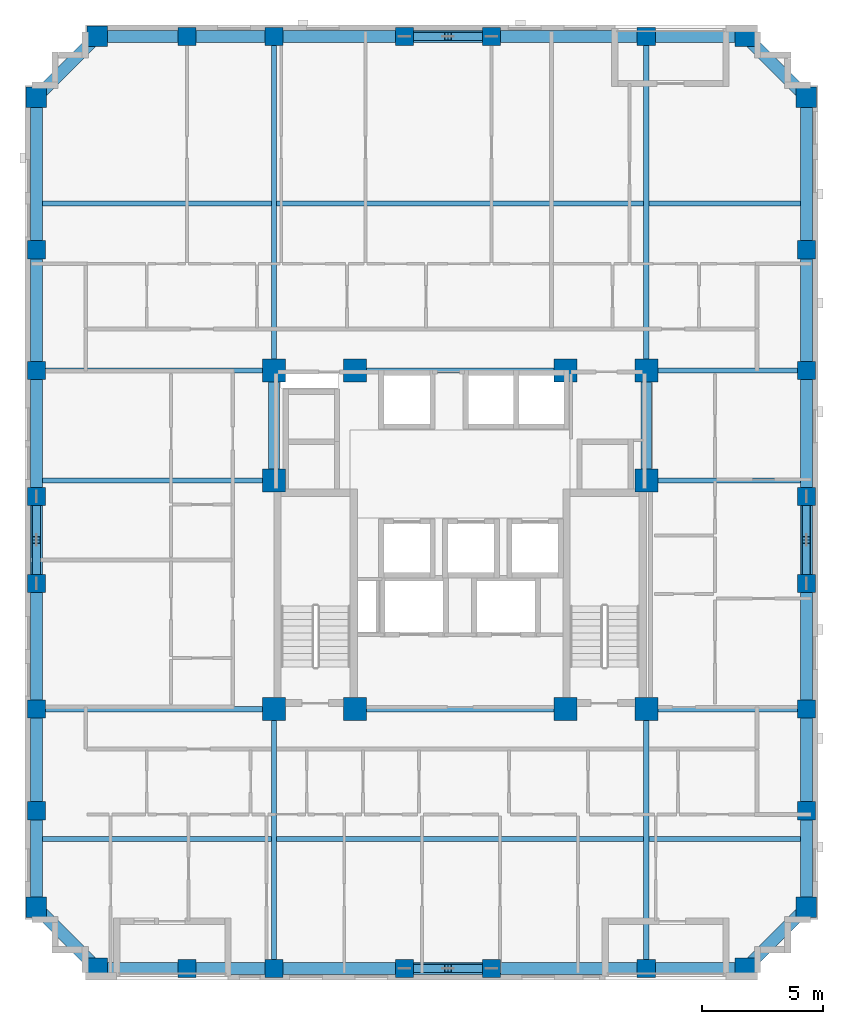
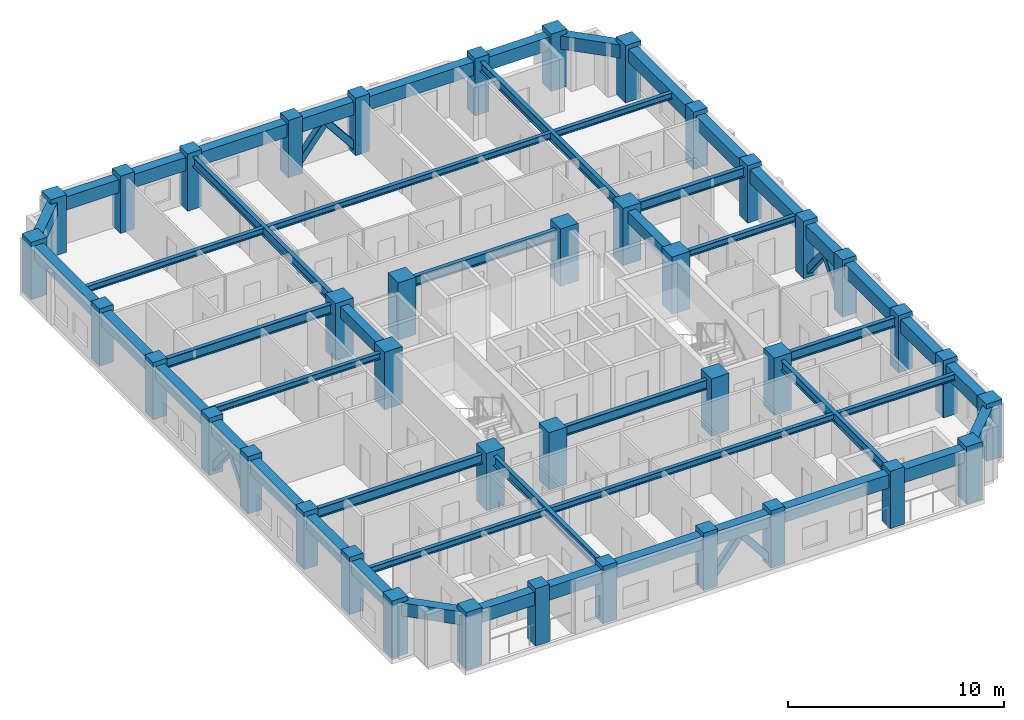
# One storey, part 1 of 12: 50 beams, 40 columns, 8 members.
"""IFC4 building model written with IfcOpenShell, lengths in metres."""

import ifcopenshell
import ifcopenshell.guid

model = None  # the IFC model being written
_history = None  # IfcOwnerHistory: only IFC2X3 demands one
_inside = {}  # id of a spatial element -> (the spatial element, [elements in it])
_under = {}  # id of a project, library or spatial element -> (it, [spatial elements below it])
_declared = {}  # id of a project -> (the project, [libraries it declares])
_typed = {}  # id of a type object -> (the type object, [elements of that type])
_made_of = {}  # id of a material, layer set ... -> (it, [elements and type objects made of it])


def new_model(schema):
    """Start an empty IFC model of exactly this schema.

    Asked for "IFC4X3", IfcOpenShell would pick the latest addendum, in which some entities
    have other attributes; the version numbers below select the first issue.
    IFC2X3 requires an IfcOwnerHistory on every rooted entity: one is made here for all.
    """
    global model, _history
    if schema == "IFC4X3":
        model = ifcopenshell.file(schema_version=(4, 3, 0, 0))
    else:
        model = ifcopenshell.file(schema=schema)
    _inside.clear()
    _under.clear()
    _declared.clear()
    _typed.clear()
    _made_of.clear()
    _history = None
    if model.schema == "IFC2X3":
        org = make("IfcOrganization", Name="unknown")
        user = make(
            "IfcPersonAndOrganization",
            ThePerson=make("IfcPerson", FamilyName="unknown"),
            TheOrganization=org,
        )
        app = make(
            "IfcApplication",
            ApplicationDeveloper=org,
            Version="unknown",
            ApplicationFullName="unknown",
            ApplicationIdentifier="unknown",
        )
        _history = make(
            "IfcOwnerHistory",
            OwningUser=user,
            OwningApplication=app,
            ChangeAction="ADDED",
            CreationDate=0,
        )
    return model


def make(cls, **values):
    """One entity of the class cls with the attributes given. An attribute that is None is left unset."""
    return model.create_entity(
        cls, **{name: value for name, value in values.items() if value is not None}
    )


def rooted(cls, **values):
    """An entity with a GlobalId (a new one), such as an element, a storey or a relation."""
    return make(cls, GlobalId=ifcopenshell.guid.new(), OwnerHistory=_history, **values)


def si_unit(unit_type, name, prefix=None):
    """IfcSIUnit, for example si_unit("LENGTHUNIT", "METRE", prefix="MILLI")."""
    return make("IfcSIUnit", UnitType=unit_type, Prefix=prefix, Name=name)


def derived_unit(unit_type, elements):
    """IfcDerivedUnit: a product of units, each with its exponent."""
    return make(
        "IfcDerivedUnit",
        Elements=[
            make("IfcDerivedUnitElement", Unit=unit, Exponent=power)
            for unit, power in elements
        ],
        UnitType=unit_type,
    )


def assignment(units):
    """IfcUnitAssignment: the units of a project."""
    return None if units is None else make("IfcUnitAssignment", Units=units)


def point(xyz):
    """IfcCartesianPoint."""
    return None if xyz is None else make("IfcCartesianPoint", Coordinates=xyz)


def direction(xyz):
    """IfcDirection."""
    return None if xyz is None else make("IfcDirection", DirectionRatios=xyz)


def frame(location, z_axis=None, x_axis=None):
    """IfcAxis2Placement3D, a coordinate frame: its origin and axes. An axis left out is left unset."""
    return make(
        "IfcAxis2Placement3D",
        Location=point(location),
        Axis=direction(z_axis),
        RefDirection=direction(x_axis),
    )


def frame_2d(location, x_axis=None):
    """IfcAxis2Placement2D, a coordinate frame in the plane: its origin and x axis."""
    return make(
        "IfcAxis2Placement2D", Location=point(location), RefDirection=direction(x_axis)
    )


def origin():
    """The frame at (0, 0, 0) with its axes left unset."""
    return frame((0.0, 0.0, 0.0))


def origin_2d():
    """The frame at (0, 0) in the plane with its x axis left unset."""
    return frame_2d((0.0, 0.0))


def place(relative_to, where):
    """IfcLocalPlacement: puts the frame where relative to a parent placement (None: the world)."""
    return make(
        "IfcLocalPlacement", PlacementRelTo=relative_to, RelativePlacement=where
    )


def context(
    kind, dimensions, precision=None, world=None, true_north=None, identifier=None
):
    """IfcGeometricRepresentationContext, for example the 3D "Model" context."""
    return make(
        "IfcGeometricRepresentationContext",
        ContextIdentifier=identifier,
        ContextType=kind,
        CoordinateSpaceDimension=dimensions,
        Precision=precision,
        WorldCoordinateSystem=world,
        TrueNorth=true_north,
    )


def subcontext(parent, identifier, kind, view, scale=None):
    """IfcGeometricRepresentationSubContext, for example "Body" below "Model"."""
    return make(
        "IfcGeometricRepresentationSubContext",
        ContextIdentifier=identifier,
        ContextType=kind,
        ParentContext=parent,
        TargetScale=scale,
        TargetView=view,
    )


def project(units=None, contexts=None):
    """IfcProject with its units and contexts."""
    return rooted(
        "IfcProject",
        Name="project",
        RepresentationContexts=contexts,
        UnitsInContext=assignment(units),
    )


def spatial(cls, under=None, at=None, **own):
    """A site, building, storey or space (cls), placed at a placement, below another one or the project."""
    s = rooted(cls, ObjectPlacement=at, **own)
    if under is not None:
        _under.setdefault(under.id(), (under, []))[1].append(s)
    return s


def profile(cls, at=None, kind="AREA", **sizes):
    """A parametric profile (cls). Its sizes go by their IFC names, for example OverallWidth=200.0."""
    return make(cls, ProfileType=kind, Position=at, **sizes)


def rectangle(**sizes):
    """IfcRectangleProfileDef."""
    return profile("IfcRectangleProfileDef", **sizes)


def hollow_rectangle(**sizes):
    """IfcRectangleHollowProfileDef."""
    return profile("IfcRectangleHollowProfileDef", **sizes)


def i_section(**sizes):
    """IfcIShapeProfileDef."""
    return profile("IfcIShapeProfileDef", **sizes)


def extrude(swept, where, along, depth):
    """IfcExtrudedAreaSolid: the profile swept, set in the frame where, extruded along a direction by depth."""
    return make(
        "IfcExtrudedAreaSolid",
        SweptArea=swept,
        Position=where,
        ExtrudedDirection=direction(along),
        Depth=depth,
    )


def shape(context_of_items, identifier, shape_type, items):
    """IfcShapeRepresentation: the items that make up one representation, for example the "Body"."""
    return make(
        "IfcShapeRepresentation",
        ContextOfItems=context_of_items,
        RepresentationIdentifier=identifier,
        RepresentationType=shape_type,
        Items=items,
    )


def material(Name=None, Category=None):
    """IfcMaterial."""
    return make("IfcMaterial", Name=Name, Category=Category)


def material_profile(
    of_material, cross_section, Name=None, Category=None, Priority=None
):
    """IfcMaterialProfile: a cross section and its material."""
    return make(
        "IfcMaterialProfile",
        Name=Name,
        Material=of_material,
        Profile=cross_section,
        Priority=Priority,
        Category=Category,
    )


def profile_set(profiles, Name=None, composite=None):
    """IfcMaterialProfileSet."""
    return make(
        "IfcMaterialProfileSet",
        Name=Name,
        MaterialProfiles=profiles,
        CompositeProfile=composite,
    )


def made_of(thing, what):
    """Note that an element or type object is made of a material, layer set ...; save() writes the relation."""
    if what is not None:
        _made_of.setdefault(what.id(), (what, []))[1].append(thing)
    return thing


def type_object(cls, material=None, **own):
    """A type object (cls), such as IfcWallType, which elements share."""
    return made_of(rooted(cls, **own), material)


def element(
    cls,
    number,
    at=None,
    inside=None,
    cuts=None,
    type_object=None,
    material=None,
    context=None,
    identifier="Body",
    shape_type=None,
    held_by="IfcProductDefinitionShape",
    body=None,
    shapes=None,
    **own,
):
    """One element of the class cls, such as IfcWall. Its Tag is "e" and its number.

    at: its placement. inside: the storey or other place that contains it. cuts: it is an
    opening in that element (IfcRelVoidsElement). A single representation is given by context,
    identifier, shape_type and body (its items); several are given by shapes. held_by: the class
    of the entity that holds the representations. save() writes the other relations.
    """
    e = rooted(cls, Tag="e%d" % number, ObjectPlacement=at, **own)
    if body is not None:
        shapes = [shape(context, identifier, shape_type, body)]
    if shapes is not None:
        e.Representation = make(held_by, Representations=shapes)
    if inside is not None:
        _inside.setdefault(inside.id(), (inside, []))[1].append(e)
    if cuts is not None:
        rooted(
            "IfcRelVoidsElement", RelatingBuildingElement=cuts, RelatedOpeningElement=e
        )
    if type_object is not None:
        _typed.setdefault(type_object.id(), (type_object, []))[1].append(e)
    return made_of(e, material)


def aggregate(whole, parts):
    """IfcRelAggregates: a whole, such as a stair, and the parts it consists of."""
    return rooted("IfcRelAggregates", RelatingObject=whole, RelatedObjects=parts)


def save(model, path):
    """Write the relations noted so far, then the file.

    IfcRelAggregates (storeys below a building ...), IfcRelContainedInSpatialStructure (elements
    in a storey), IfcRelDefinesByType, IfcRelAssociatesMaterial and IfcRelDeclares: one each for
    every whole, place, type object, material and project.
    """
    for whole, parts in _under.values():
        aggregate(whole, parts)
    for where, things in _inside.values():
        rooted(
            "IfcRelContainedInSpatialStructure",
            RelatedElements=things,
            RelatingStructure=where,
        )
    for kind, things in _typed.values():
        rooted("IfcRelDefinesByType", RelatedObjects=things, RelatingType=kind)
    for what, things in _made_of.values():
        rooted("IfcRelAssociatesMaterial", RelatedObjects=things, RelatingMaterial=what)
    for by, libraries in _declared.values():
        rooted("IfcRelDeclares", RelatingContext=by, RelatedDefinitions=libraries)
    model.write(path)


model = new_model("IFC4")

# Units and contexts
model_context = context("Model", 3, precision=1e-05, world=origin(), true_north=direction((0.0, 1.0)))
body_context = subcontext(model_context, "Body", "Model", "MODEL_VIEW")
ifc_project = project(units=[si_unit("LENGTHUNIT", "METRE"), si_unit("AREAUNIT", "SQUARE_METRE"), si_unit("VOLUMEUNIT", "CUBIC_METRE"), si_unit("PLANEANGLEUNIT", "RADIAN"), si_unit("MASSUNIT", "GRAM", prefix="KILO"), derived_unit("THERMALTRANSMITTANCEUNIT", [(si_unit("MASSUNIT", "GRAM", prefix="KILO"), 1), (si_unit("TIMEUNIT", "SECOND"), -3), (si_unit("THERMODYNAMICTEMPERATUREUNIT", "KELVIN"), -1)])], contexts=[model_context])

# Site, building, storey
site_placement = place(None, origin())
site = spatial("IfcSite", under=ifc_project, at=site_placement, CompositionType="ELEMENT")
building_placement = place(site_placement, origin())
building = spatial("IfcBuilding", under=site, at=building_placement, Name="Korrvale Station Residences", CompositionType="ELEMENT")
storey_placement = place(building_placement, frame((0.0, 0.0, 127.64990234375)))
storey = spatial("IfcBuildingStorey", under=building, at=storey_placement, Name="L36", CompositionType="ELEMENT", Elevation=127.64990234375)

# Columns
ifc_material_1 = material(Name="Concrete C60/75", Category="concrete")
ifc_material_profile_1 = material_profile(ifc_material_1, rectangle(XDim=0.75, YDim=0.75, at=origin_2d()), Name="RC750x750")
ifc_profile_set_1 = profile_set([ifc_material_profile_1], Name="Concrete C60/75")
column_type_1 = type_object("IfcColumnType", Name="COL-C-RC750x750-C6075", PredefinedType="COLUMN", material=ifc_profile_set_1)
for number, where, z_axis, x_axis, name in (
    (1, (14.199951171875, 4.280029296875, 0.0), (0.0, 0.0, 1.0), (1.0, 0.0, 0.0), "L36 Bundled-Tube South Column 02"),
    (2, (17.800048828125, 4.280029296875, 0.0), (0.0, 0.0, 1.0), (1.0, 0.0, 0.0), "L36 Bundled-Tube South Column 03"),
    (3, (23.199951171875, 4.280029296875, 0.0), (0.0, 0.0, 1.0), (1.0, 0.0, 0.0), "L36 Bundled-Tube South Column 04"),
    (4, (26.800048828125, 4.280029296875, 0.0), (0.0, 0.0, 1.0), (1.0, 0.0, 0.0), "L36 Bundled-Tube South Column 05"),
    (5, (33.199951171875, 4.280029296875, 0.0), (0.0, 0.0, 1.0), (1.0, 0.0, 0.0), "L36 Bundled-Tube South Column 06"),
    (6, (14.199951171875, 42.820068359375, 0.0), (0.0, 0.0, 1.0), (1.0, 0.0, 0.0), "L36 Bundled-Tube North Column 09"),
    (7, (17.800048828125, 42.820068359375, 0.0), (0.0, 0.0, 1.0), (1.0, 0.0, 0.0), "L36 Bundled-Tube North Column 10"),
    (8, (23.199951171875, 42.820068359375, 0.0), (0.0, 0.0, 1.0), (1.0, 0.0, 0.0), "L36 Bundled-Tube North Column 11"),
    (9, (26.800048828125, 42.820068359375, 0.0), (0.0, 0.0, 1.0), (1.0, 0.0, 0.0), "L36 Bundled-Tube North Column 12"),
    (10, (33.199951171875, 42.820068359375, 0.0), (0.0, 0.0, 1.0), (1.0, 0.0, 0.0), "L36 Bundled-Tube North Column 13"),
    (11, (7.97998046875, 10.800048828125, 0.0), (0.0, 0.0, 1.0), (1.0, 0.0, 0.0), "L36 Bundled-Tube West Column 16"),
    (12, (7.97998046875, 15.0, 0.0), (0.0, 0.0, 1.0), (1.0, 0.0, 0.0), "L36 Bundled-Tube West Column 17"),
    (13, (7.97998046875, 20.199951171875, 0.0), (0.0, 0.0, 1.0), (1.0, 0.0, 0.0), "L36 Bundled-Tube West Column 18"),
    (14, (7.97998046875, 23.800048828125, 0.0), (0.0, 0.0, 1.0), (1.0, 0.0, 0.0), "L36 Bundled-Tube West Column 19"),
    (15, (7.97998046875, 29.0, 0.0), (0.0, 0.0, 1.0), (1.0, 0.0, 0.0), "L36 Bundled-Tube West Column 20"),
    (16, (7.97998046875, 34.0, 0.0), (0.0, 0.0, 1.0), (1.0, 0.0, 0.0), "L36 Bundled-Tube West Column 21"),
    (17, (39.820068359375, 10.800048828125, 0.0), (0.0, 0.0, 1.0), (1.0, 0.0, 0.0), "L36 Bundled-Tube East Column 24"),
    (18, (39.820068359375, 15.0, 0.0), (0.0, 0.0, 1.0), (1.0, 0.0, 0.0), "L36 Bundled-Tube East Column 25"),
    (19, (39.820068359375, 20.199951171875, 0.0), (0.0, 0.0, 1.0), (1.0, 0.0, 0.0), "L36 Bundled-Tube East Column 26"),
    (20, (39.820068359375, 23.800048828125, 0.0), (0.0, 0.0, 1.0), (1.0, 0.0, 0.0), "L36 Bundled-Tube East Column 27"),
    (21, (39.820068359375, 29.0, 0.0), (0.0, 0.0, 1.0), (1.0, 0.0, 0.0), "L36 Bundled-Tube East Column 28"),
    (22, (39.820068359375, 34.0, 0.0), (0.0, 0.0, 1.0), (1.0, 0.0, 0.0), "L36 Bundled-Tube East Column 29"),
):
    element("IfcColumn", number, at=place(storey_placement, frame(where, z_axis=z_axis, x_axis=x_axis)), inside=storey, type_object=column_type_1, Name=name, PredefinedType="COLUMN", context=body_context, shape_type="SweptSolid", body=[
        extrude(rectangle(XDim=0.75, YDim=0.75, at=origin_2d()), origin(), (0.0, 0.0, 1.0), 3.25),
    ])
ifc_material_profile_2 = material_profile(ifc_material_1, rectangle(XDim=0.85009765625, YDim=0.85009765625, at=origin_2d()), Name="RC850x850")
ifc_profile_set_2 = profile_set([ifc_material_profile_2], Name="Concrete C60/75")
column_type_2 = type_object("IfcColumnType", Name="COL-C-RC850x850-C6075", PredefinedType="COLUMN", material=ifc_profile_set_2)
for number, where, z_axis, x_axis, name in (
    (23, (10.5, 4.280029296875, 0.0), (0.0, 0.0, 1.0), (1.0, 0.0, 0.0), "L36 Bundled-Tube South Column 01"),
    (24, (37.300048828125, 4.280029296875, 0.0), (0.0, 0.0, 1.0), (1.0, 0.0, 0.0), "L36 Bundled-Tube South Column 07"),
    (25, (10.5, 42.820068359375, 0.0), (0.0, 0.0, 1.0), (1.0, 0.0, 0.0), "L36 Bundled-Tube North Column 08"),
    (26, (37.300048828125, 42.820068359375, 0.0), (0.0, 0.0, 1.0), (1.0, 0.0, 0.0), "L36 Bundled-Tube North Column 14"),
    (27, (7.97998046875, 6.800048828125, 0.0), (0.0, 0.0, 1.0), (1.0, 0.0, 0.0), "L36 Bundled-Tube West Column 15"),
    (28, (7.97998046875, 40.300048828125, 0.0), (0.0, 0.0, 1.0), (1.0, 0.0, 0.0), "L36 Bundled-Tube West Column 22"),
    (29, (39.820068359375, 6.800048828125, 0.0), (0.0, 0.0, 1.0), (1.0, 0.0, 0.0), "L36 Bundled-Tube East Column 23"),
    (30, (39.820068359375, 40.300048828125, 0.0), (0.0, 0.0, 1.0), (1.0, 0.0, 0.0), "L36 Bundled-Tube East Column 30"),
):
    element("IfcColumn", number, at=place(storey_placement, frame(where, z_axis=z_axis, x_axis=x_axis)), inside=storey, type_object=column_type_2, Name=name, PredefinedType="COLUMN", context=body_context, shape_type="SweptSolid", body=[
        extrude(rectangle(XDim=0.85009765625, YDim=0.85009765625, at=origin_2d()), origin(), (0.0, 0.0, 1.0), 3.25),
    ])
ifc_material_profile_3 = material_profile(ifc_material_1, rectangle(XDim=0.949951171875, YDim=0.949951171875, at=origin_2d()), Name="RC950x950")
ifc_profile_set_3 = profile_set([ifc_material_profile_3], Name="Concrete C60/75")
column_type_3 = type_object("IfcColumnType", Name="COL-C-RC950x950-C6075", PredefinedType="COLUMN", material=ifc_profile_set_3)
for number, where, z_axis, x_axis, name in (
    (31, (17.800048828125, 15.0, 0.0), (0.0, 0.0, 1.0), (1.0, 0.0, 0.0), "L36 Core Column 01"),
    (32, (21.14990234375, 15.0, 0.0), (0.0, 0.0, 1.0), (1.0, 0.0, 0.0), "L36 Core Column 02"),
    (33, (29.85009765625, 15.0, 0.0), (0.0, 0.0, 1.0), (1.0, 0.0, 0.0), "L36 Core Column 03"),
    (34, (33.199951171875, 15.0, 0.0), (0.0, 0.0, 1.0), (1.0, 0.0, 0.0), "L36 Core Column 04"),
    (35, (17.800048828125, 29.0, 0.0), (0.0, 0.0, 1.0), (1.0, 0.0, 0.0), "L36 Core Column 05"),
    (36, (21.14990234375, 29.0, 0.0), (0.0, 0.0, 1.0), (1.0, 0.0, 0.0), "L36 Core Column 06"),
    (37, (29.85009765625, 29.0, 0.0), (0.0, 0.0, 1.0), (1.0, 0.0, 0.0), "L36 Core Column 07"),
    (38, (33.199951171875, 29.0, 0.0), (0.0, 0.0, 1.0), (1.0, 0.0, 0.0), "L36 Core Column 08"),
    (39, (17.800048828125, 24.449951171875, 0.0), (0.0, 0.0, 1.0), (1.0, 0.0, 0.0), "L36 Core Column 09"),
    (40, (33.199951171875, 24.449951171875, 0.0), (0.0, 0.0, 1.0), (1.0, 0.0, 0.0), "L36 Core Column 10"),
):
    element("IfcColumn", number, at=place(storey_placement, frame(where, z_axis=z_axis, x_axis=x_axis)), inside=storey, type_object=column_type_3, Name=name, PredefinedType="COLUMN", context=body_context, shape_type="SweptSolid", body=[
        extrude(rectangle(XDim=0.949951171875, YDim=0.949951171875, at=origin_2d()), origin(), (0.0, 0.0, 1.0), 3.25),
    ])

# Beams
ifc_material_2 = material(Name="Steel S355", Category="steel")
ifc_material_profile_4 = material_profile(ifc_material_2, i_section(OverallWidth=0.214111328125, OverallDepth=0.549072265625, WebThickness=0.0146484375, FlangeThickness=0.023681640625, FilletRadius=0.01806640625, at=origin_2d()), Name="W530x138")
ifc_profile_set_4 = profile_set([ifc_material_profile_4], Name="Steel S355")
beam_type_1 = type_object("IfcBeamType", Name="BM-BM-W530x138-S355", PredefinedType="BEAM", material=ifc_profile_set_4)
for number, where, z_axis, x_axis, name in (
    (41, (17.800048828125, 4.280029296875, 2.715576171875), (0.0, 1.0, 0.0), (-1.0, 0.0, 0.0), "L36 Bundled-Tube Web Girder 01"),
    (42, (33.199951171875, 4.280029296875, 2.715576171875), (0.0, 1.0, 0.0), (-1.0, 0.0, 0.0), "L36 Bundled-Tube Web Girder 02"),
):
    element("IfcBeam", number, at=place(storey_placement, frame(where, z_axis=z_axis, x_axis=x_axis)), inside=storey, type_object=beam_type_1, Name=name, PredefinedType="BEAM", context=body_context, shape_type="SweptSolid", body=[
        extrude(i_section(OverallWidth=0.214111328125, OverallDepth=0.549072265625, WebThickness=0.0146484375, FlangeThickness=0.023681640625, FilletRadius=0.01806640625, at=origin_2d()), origin(), (0.0, 0.0, 1.0), 10.719970703125),
    ])
for number, where, z_axis, x_axis, name in (
    (43, (17.800048828125, 29.0, 2.715576171875), (0.0, 1.0, 0.0), (-1.0, 0.0, 0.0), "L36 Bundled-Tube Web Girder 03"),
    (44, (33.199951171875, 29.0, 2.715576171875), (0.0, 1.0, 0.0), (-1.0, 0.0, 0.0), "L36 Bundled-Tube Web Girder 04"),
):
    element("IfcBeam", number, at=place(storey_placement, frame(where, z_axis=z_axis, x_axis=x_axis)), inside=storey, type_object=beam_type_1, Name=name, PredefinedType="BEAM", context=body_context, shape_type="SweptSolid", body=[
        extrude(i_section(OverallWidth=0.214111328125, OverallDepth=0.549072265625, WebThickness=0.0146484375, FlangeThickness=0.023681640625, FilletRadius=0.01806640625, at=origin_2d()), origin(), (0.0, 0.0, 1.0), 13.820068359375),
    ])
beam_1_placement = place(storey_placement, frame((7.97998046875, 15.0, 2.715576171875), z_axis=(1.0, 0.0, 0.0), x_axis=(0.0, 1.0, 0.0)))
element("IfcBeam", 45, at=beam_1_placement, inside=storey, type_object=beam_type_1, Name="L36 Bundled-Tube Web Girder 05", PredefinedType="BEAM", context=body_context, shape_type="SweptSolid", body=[
    extrude(i_section(OverallWidth=0.214111328125, OverallDepth=0.549072265625, WebThickness=0.0146484375, FlangeThickness=0.023681640625, FilletRadius=0.01806640625, at=origin_2d()), origin(), (0.0, 0.0, 1.0), 9.820068359375),
])
beam_2_placement = place(storey_placement, frame((33.199951171875, 15.0, 2.715576171875), z_axis=(1.0, 0.0, 0.0), x_axis=(0.0, 1.0, 0.0)))
element("IfcBeam", 46, at=beam_2_placement, inside=storey, type_object=beam_type_1, Name="L36 Bundled-Tube Web Girder 06", PredefinedType="BEAM", context=body_context, shape_type="SweptSolid", body=[
    extrude(i_section(OverallWidth=0.214111328125, OverallDepth=0.549072265625, WebThickness=0.0146484375, FlangeThickness=0.023681640625, FilletRadius=0.01806640625, at=origin_2d()), origin(), (0.0, 0.0, 1.0), 6.6201171875),
])
beam_3_placement = place(storey_placement, frame((7.97998046875, 29.0, 2.715576171875), z_axis=(1.0, 0.0, 0.0), x_axis=(0.0, 1.0, 0.0)))
element("IfcBeam", 47, at=beam_3_placement, inside=storey, type_object=beam_type_1, Name="L36 Bundled-Tube Web Girder 07", PredefinedType="BEAM", context=body_context, shape_type="SweptSolid", body=[
    extrude(i_section(OverallWidth=0.214111328125, OverallDepth=0.549072265625, WebThickness=0.0146484375, FlangeThickness=0.023681640625, FilletRadius=0.01806640625, at=origin_2d()), origin(), (0.0, 0.0, 1.0), 9.820068359375),
])
beam_4_placement = place(storey_placement, frame((33.199951171875, 29.0, 2.715576171875), z_axis=(1.0, 0.0, 0.0), x_axis=(0.0, 1.0, 0.0)))
element("IfcBeam", 48, at=beam_4_placement, inside=storey, type_object=beam_type_1, Name="L36 Bundled-Tube Web Girder 08", PredefinedType="BEAM", context=body_context, shape_type="SweptSolid", body=[
    extrude(i_section(OverallWidth=0.214111328125, OverallDepth=0.549072265625, WebThickness=0.0146484375, FlangeThickness=0.023681640625, FilletRadius=0.01806640625, at=origin_2d()), origin(), (0.0, 0.0, 1.0), 6.6201171875),
])
for number, where, z_axis, x_axis, name in (
    (49, (21.14990234375, 15.0, 2.715576171875), (1.0, 0.0, 0.0), (0.0, 1.0, 0.0), "L36 Bundled-Tube Web Girder 09"),
    (50, (21.14990234375, 29.0, 2.715576171875), (1.0, 0.0, 0.0), (0.0, 1.0, 0.0), "L36 Bundled-Tube Web Girder 10"),
):
    element("IfcBeam", number, at=place(storey_placement, frame(where, z_axis=z_axis, x_axis=x_axis)), inside=storey, type_object=beam_type_1, Name=name, PredefinedType="BEAM", context=body_context, shape_type="SweptSolid", body=[
        extrude(i_section(OverallWidth=0.214111328125, OverallDepth=0.549072265625, WebThickness=0.0146484375, FlangeThickness=0.023681640625, FilletRadius=0.01806640625, at=origin_2d()), origin(), (0.0, 0.0, 1.0), 8.7001953125),
    ])
ifc_material_profile_5 = material_profile(ifc_material_2, i_section(OverallWidth=0.205078125, OverallDepth=0.35400390625, WebThickness=0.009521484375, FlangeThickness=0.016845703125, FilletRadius=0.014892578125, at=origin_2d()), Name="W360x79")
ifc_profile_set_5 = profile_set([ifc_material_profile_5], Name="Steel S355")
beam_type_2 = type_object("IfcBeamType", Name="BM-JST-W360x79-S355", PredefinedType="JOIST", material=ifc_profile_set_5)
beam_5_placement = place(storey_placement, frame((8.22998046875, 9.639892578125, 2.81298828125), z_axis=(1.0, 0.0, 0.0), x_axis=(0.0, 1.0, 0.0)))
element("IfcBeam", 51, at=beam_5_placement, inside=storey, type_object=beam_type_2, Name="L36 Floor Framing Joist 01", PredefinedType="JOIST", context=body_context, shape_type="SweptSolid", body=[
    extrude(i_section(OverallWidth=0.205078125, OverallDepth=0.35400390625, WebThickness=0.009521484375, FlangeThickness=0.016845703125, FilletRadius=0.014892578125, at=origin_2d()), origin(), (0.0, 0.0, 1.0), 9.463134765625),
])
beam_6_placement = place(storey_placement, frame((17.906982421875, 9.639892578125, 2.81298828125), z_axis=(1.0, 0.0, 0.0), x_axis=(0.0, 1.0, 0.0)))
element("IfcBeam", 52, at=beam_6_placement, inside=storey, type_object=beam_type_2, Name="L36 Floor Framing Joist 02", PredefinedType="JOIST", context=body_context, shape_type="SweptSolid", body=[
    extrude(i_section(OverallWidth=0.205078125, OverallDepth=0.35400390625, WebThickness=0.009521484375, FlangeThickness=0.016845703125, FilletRadius=0.014892578125, at=origin_2d()), origin(), (0.0, 0.0, 1.0), 15.18603515625),
])
beam_7_placement = place(storey_placement, frame((33.306884765625, 9.639892578125, 2.81298828125), z_axis=(1.0, 0.0, 0.0), x_axis=(0.0, 1.0, 0.0)))
element("IfcBeam", 53, at=beam_7_placement, inside=storey, type_object=beam_type_2, Name="L36 Floor Framing Joist 03", PredefinedType="JOIST", context=body_context, shape_type="SweptSolid", body=[
    extrude(i_section(OverallWidth=0.205078125, OverallDepth=0.35400390625, WebThickness=0.009521484375, FlangeThickness=0.016845703125, FilletRadius=0.014892578125, at=origin_2d()), origin(), (0.0, 0.0, 1.0), 6.26318359375),
])
beam_8_placement = place(storey_placement, frame((8.22998046875, 35.909912109375, 2.81298828125), z_axis=(1.0, 0.0, 0.0), x_axis=(0.0, 1.0, 0.0)))
element("IfcBeam", 54, at=beam_8_placement, inside=storey, type_object=beam_type_2, Name="L36 Floor Framing Joist 04", PredefinedType="JOIST", context=body_context, shape_type="SweptSolid", body=[
    extrude(i_section(OverallWidth=0.205078125, OverallDepth=0.35400390625, WebThickness=0.009521484375, FlangeThickness=0.016845703125, FilletRadius=0.014892578125, at=origin_2d()), origin(), (0.0, 0.0, 1.0), 9.463134765625),
])
beam_9_placement = place(storey_placement, frame((17.906982421875, 35.909912109375, 2.81298828125), z_axis=(1.0, 0.0, 0.0), x_axis=(0.0, 1.0, 0.0)))
element("IfcBeam", 55, at=beam_9_placement, inside=storey, type_object=beam_type_2, Name="L36 Floor Framing Joist 05", PredefinedType="JOIST", context=body_context, shape_type="SweptSolid", body=[
    extrude(i_section(OverallWidth=0.205078125, OverallDepth=0.35400390625, WebThickness=0.009521484375, FlangeThickness=0.016845703125, FilletRadius=0.014892578125, at=origin_2d()), origin(), (0.0, 0.0, 1.0), 15.18603515625),
])
beam_10_placement = place(storey_placement, frame((33.306884765625, 35.909912109375, 2.81298828125), z_axis=(1.0, 0.0, 0.0), x_axis=(0.0, 1.0, 0.0)))
element("IfcBeam", 56, at=beam_10_placement, inside=storey, type_object=beam_type_2, Name="L36 Floor Framing Joist 06", PredefinedType="JOIST", context=body_context, shape_type="SweptSolid", body=[
    extrude(i_section(OverallWidth=0.205078125, OverallDepth=0.35400390625, WebThickness=0.009521484375, FlangeThickness=0.016845703125, FilletRadius=0.014892578125, at=origin_2d()), origin(), (0.0, 0.0, 1.0), 6.26318359375),
])
beam_11_placement = place(storey_placement, frame((33.425048828125, 24.449951171875, 2.81298828125), z_axis=(1.0, 0.0, 0.0), x_axis=(0.0, 1.0, 0.0)))
element("IfcBeam", 57, at=beam_11_placement, inside=storey, type_object=beam_type_2, Name="L36 Floor Framing Joist 07", PredefinedType="JOIST", context=body_context, shape_type="SweptSolid", body=[
    extrude(i_section(OverallWidth=0.205078125, OverallDepth=0.35400390625, WebThickness=0.009521484375, FlangeThickness=0.016845703125, FilletRadius=0.014892578125, at=origin_2d()), origin(), (0.0, 0.0, 1.0), 6.14501953125),
])
beam_12_placement = place(storey_placement, frame((8.22998046875, 24.449951171875, 2.81298828125), z_axis=(1.0, 0.0, 0.0), x_axis=(0.0, 1.0, 0.0)))
element("IfcBeam", 58, at=beam_12_placement, inside=storey, type_object=beam_type_2, Name="L36 Floor Framing Joist 08", PredefinedType="JOIST", context=body_context, shape_type="SweptSolid", body=[
    extrude(i_section(OverallWidth=0.205078125, OverallDepth=0.35400390625, WebThickness=0.009521484375, FlangeThickness=0.016845703125, FilletRadius=0.014892578125, at=origin_2d()), origin(), (0.0, 0.0, 1.0), 9.344970703125),
])
ifc_material_profile_6 = material_profile(ifc_material_1, rectangle(XDim=0.449951171875, YDim=0.64990234375, at=origin_2d()), Name="RCB450x650")
ifc_profile_set_6 = profile_set([ifc_material_profile_6], Name="Concrete C60/75")
beam_type_3 = type_object("IfcBeamType", Name="BM-LNT-RCB450x650-C6075", PredefinedType="LINTEL", material=ifc_profile_set_6)
for number, where, z_axis, x_axis, name in (
    (59, (17.800048828125, 24.449951171875, 2.6650390625), (0.0, 1.0, 0.0), (-1.0, 0.0, 0.0), "L36 Core Coupling Lintel 1"),
    (60, (33.199951171875, 24.449951171875, 2.6650390625), (0.0, 1.0, 0.0), (-1.0, 0.0, 0.0), "L36 Core Coupling Lintel 2"),
):
    element("IfcBeam", number, at=place(storey_placement, frame(where, z_axis=z_axis, x_axis=x_axis)), inside=storey, type_object=beam_type_3, Name=name, PredefinedType="LINTEL", context=body_context, shape_type="SweptSolid", body=[
        extrude(rectangle(XDim=0.449951171875, YDim=0.64990234375, at=origin_2d()), origin(), (0.0, 0.0, 1.0), 4.550048828125),
    ])
ifc_material_profile_7 = material_profile(ifc_material_1, rectangle(XDim=0.5, YDim=0.75, at=origin_2d()), Name="RCB500x750")
ifc_profile_set_7 = profile_set([ifc_material_profile_7], Name="Concrete C60/75")
beam_type_4 = type_object("IfcBeamType", Name="BM-SPB-RCB500x750-C6075", PredefinedType="SPANDREL", material=ifc_profile_set_7)
beam_13_placement = place(storey_placement, frame((10.5, 4.280029296875, 2.614990234375), z_axis=(1.0, 0.0, 0.0), x_axis=(0.0, 1.0, 0.0)))
element("IfcBeam", 61, at=beam_13_placement, inside=storey, type_object=beam_type_4, Name="L36 South Tube Spandrel 01", PredefinedType="SPANDREL", context=body_context, shape_type="SweptSolid", body=[
    extrude(rectangle(XDim=0.5, YDim=0.75, at=origin_2d()), origin(), (0.0, 0.0, 1.0), 3.699951171875),
])
beam_14_placement = place(storey_placement, frame((14.199951171875, 4.280029296875, 2.614990234375), z_axis=(1.0, 0.0, 0.0), x_axis=(0.0, 1.0, 0.0)))
element("IfcBeam", 62, at=beam_14_placement, inside=storey, type_object=beam_type_4, Name="L36 South Tube Spandrel 02", PredefinedType="SPANDREL", context=body_context, shape_type="SweptSolid", body=[
    extrude(rectangle(XDim=0.5, YDim=0.75, at=origin_2d()), origin(), (0.0, 0.0, 1.0), 3.60009765625),
])
beam_15_placement = place(storey_placement, frame((17.800048828125, 4.280029296875, 2.614990234375), z_axis=(1.0, 0.0, 0.0), x_axis=(0.0, 1.0, 0.0)))
element("IfcBeam", 63, at=beam_15_placement, inside=storey, type_object=beam_type_4, Name="L36 South Tube Spandrel 03", PredefinedType="SPANDREL", context=body_context, shape_type="SweptSolid", body=[
    extrude(rectangle(XDim=0.5, YDim=0.75, at=origin_2d()), origin(), (0.0, 0.0, 1.0), 5.39990234375),
])
beam_16_placement = place(storey_placement, frame((23.199951171875, 4.280029296875, 2.614990234375), z_axis=(1.0, 0.0, 0.0), x_axis=(0.0, 1.0, 0.0)))
element("IfcBeam", 64, at=beam_16_placement, inside=storey, type_object=beam_type_4, Name="L36 South Tube Spandrel 04", PredefinedType="SPANDREL", context=body_context, shape_type="SweptSolid", body=[
    extrude(rectangle(XDim=0.5, YDim=0.75, at=origin_2d()), origin(), (0.0, 0.0, 1.0), 3.60009765625),
])
beam_17_placement = place(storey_placement, frame((26.800048828125, 4.280029296875, 2.614990234375), z_axis=(1.0, 0.0, 0.0), x_axis=(0.0, 1.0, 0.0)))
element("IfcBeam", 65, at=beam_17_placement, inside=storey, type_object=beam_type_4, Name="L36 South Tube Spandrel 05", PredefinedType="SPANDREL", context=body_context, shape_type="SweptSolid", body=[
    extrude(rectangle(XDim=0.5, YDim=0.75, at=origin_2d()), origin(), (0.0, 0.0, 1.0), 6.39990234375),
])
beam_18_placement = place(storey_placement, frame((33.199951171875, 4.280029296875, 2.614990234375), z_axis=(1.0, 0.0, 0.0), x_axis=(0.0, 1.0, 0.0)))
element("IfcBeam", 66, at=beam_18_placement, inside=storey, type_object=beam_type_4, Name="L36 South Tube Spandrel 06", PredefinedType="SPANDREL", context=body_context, shape_type="SweptSolid", body=[
    extrude(rectangle(XDim=0.5, YDim=0.75, at=origin_2d()), origin(), (0.0, 0.0, 1.0), 4.10009765625),
])
beam_19_placement = place(storey_placement, frame((10.5, 42.820068359375, 2.614990234375), z_axis=(1.0, 0.0, 0.0), x_axis=(0.0, 1.0, 0.0)))
element("IfcBeam", 67, at=beam_19_placement, inside=storey, type_object=beam_type_4, Name="L36 North Tube Spandrel 07", PredefinedType="SPANDREL", context=body_context, shape_type="SweptSolid", body=[
    extrude(rectangle(XDim=0.5, YDim=0.75, at=origin_2d()), origin(), (0.0, 0.0, 1.0), 3.699951171875),
])
beam_20_placement = place(storey_placement, frame((14.199951171875, 42.820068359375, 2.614990234375), z_axis=(1.0, 0.0, 0.0), x_axis=(0.0, 1.0, 0.0)))
element("IfcBeam", 68, at=beam_20_placement, inside=storey, type_object=beam_type_4, Name="L36 North Tube Spandrel 08", PredefinedType="SPANDREL", context=body_context, shape_type="SweptSolid", body=[
    extrude(rectangle(XDim=0.5, YDim=0.75, at=origin_2d()), origin(), (0.0, 0.0, 1.0), 3.60009765625),
])
beam_21_placement = place(storey_placement, frame((17.800048828125, 42.820068359375, 2.614990234375), z_axis=(1.0, 0.0, 0.0), x_axis=(0.0, 1.0, 0.0)))
element("IfcBeam", 69, at=beam_21_placement, inside=storey, type_object=beam_type_4, Name="L36 North Tube Spandrel 09", PredefinedType="SPANDREL", context=body_context, shape_type="SweptSolid", body=[
    extrude(rectangle(XDim=0.5, YDim=0.75, at=origin_2d()), origin(), (0.0, 0.0, 1.0), 5.39990234375),
])
beam_22_placement = place(storey_placement, frame((23.199951171875, 42.820068359375, 2.614990234375), z_axis=(1.0, 0.0, 0.0), x_axis=(0.0, 1.0, 0.0)))
element("IfcBeam", 70, at=beam_22_placement, inside=storey, type_object=beam_type_4, Name="L36 North Tube Spandrel 10", PredefinedType="SPANDREL", context=body_context, shape_type="SweptSolid", body=[
    extrude(rectangle(XDim=0.5, YDim=0.75, at=origin_2d()), origin(), (0.0, 0.0, 1.0), 3.60009765625),
])
beam_23_placement = place(storey_placement, frame((26.800048828125, 42.820068359375, 2.614990234375), z_axis=(1.0, 0.0, 0.0), x_axis=(0.0, 1.0, 0.0)))
element("IfcBeam", 71, at=beam_23_placement, inside=storey, type_object=beam_type_4, Name="L36 North Tube Spandrel 11", PredefinedType="SPANDREL", context=body_context, shape_type="SweptSolid", body=[
    extrude(rectangle(XDim=0.5, YDim=0.75, at=origin_2d()), origin(), (0.0, 0.0, 1.0), 6.39990234375),
])
beam_24_placement = place(storey_placement, frame((33.199951171875, 42.820068359375, 2.614990234375), z_axis=(1.0, 0.0, 0.0), x_axis=(0.0, 1.0, 0.0)))
element("IfcBeam", 72, at=beam_24_placement, inside=storey, type_object=beam_type_4, Name="L36 North Tube Spandrel 12", PredefinedType="SPANDREL", context=body_context, shape_type="SweptSolid", body=[
    extrude(rectangle(XDim=0.5, YDim=0.75, at=origin_2d()), origin(), (0.0, 0.0, 1.0), 4.10009765625),
])
beam_25_placement = place(storey_placement, frame((7.97998046875, 6.800048828125, 2.614990234375), z_axis=(0.0, 1.0, 0.0), x_axis=(-1.0, 0.0, 0.0)))
element("IfcBeam", 73, at=beam_25_placement, inside=storey, type_object=beam_type_4, Name="L36 West Tube Spandrel 13", PredefinedType="SPANDREL", context=body_context, shape_type="SweptSolid", body=[
    extrude(rectangle(XDim=0.5, YDim=0.75, at=origin_2d()), origin(), (0.0, 0.0, 1.0), 4.0),
])
beam_26_placement = place(storey_placement, frame((7.97998046875, 10.800048828125, 2.614990234375), z_axis=(0.0, 1.0, 0.0), x_axis=(-1.0, 0.0, 0.0)))
element("IfcBeam", 74, at=beam_26_placement, inside=storey, type_object=beam_type_4, Name="L36 West Tube Spandrel 14", PredefinedType="SPANDREL", context=body_context, shape_type="SweptSolid", body=[
    extrude(rectangle(XDim=0.5, YDim=0.75, at=origin_2d()), origin(), (0.0, 0.0, 1.0), 4.199951171875),
])
beam_27_placement = place(storey_placement, frame((7.97998046875, 15.0, 2.614990234375), z_axis=(0.0, 1.0, 0.0), x_axis=(-1.0, 0.0, 0.0)))
element("IfcBeam", 75, at=beam_27_placement, inside=storey, type_object=beam_type_4, Name="L36 West Tube Spandrel 15", PredefinedType="SPANDREL", context=body_context, shape_type="SweptSolid", body=[
    extrude(rectangle(XDim=0.5, YDim=0.75, at=origin_2d()), origin(), (0.0, 0.0, 1.0), 5.199951171875),
])
beam_28_placement = place(storey_placement, frame((7.97998046875, 20.199951171875, 2.614990234375), z_axis=(0.0, 1.0, 0.0), x_axis=(-1.0, 0.0, 0.0)))
element("IfcBeam", 76, at=beam_28_placement, inside=storey, type_object=beam_type_4, Name="L36 West Tube Spandrel 16", PredefinedType="SPANDREL", context=body_context, shape_type="SweptSolid", body=[
    extrude(rectangle(XDim=0.5, YDim=0.75, at=origin_2d()), origin(), (0.0, 0.0, 1.0), 3.60009765625),
])
beam_29_placement = place(storey_placement, frame((7.97998046875, 23.800048828125, 2.614990234375), z_axis=(0.0, 1.0, 0.0), x_axis=(-1.0, 0.0, 0.0)))
element("IfcBeam", 77, at=beam_29_placement, inside=storey, type_object=beam_type_4, Name="L36 West Tube Spandrel 17", PredefinedType="SPANDREL", context=body_context, shape_type="SweptSolid", body=[
    extrude(rectangle(XDim=0.5, YDim=0.75, at=origin_2d()), origin(), (0.0, 0.0, 1.0), 5.199951171875),
])
beam_30_placement = place(storey_placement, frame((7.97998046875, 29.0, 2.614990234375), z_axis=(0.0, 1.0, 0.0), x_axis=(-1.0, 0.0, 0.0)))
element("IfcBeam", 78, at=beam_30_placement, inside=storey, type_object=beam_type_4, Name="L36 West Tube Spandrel 18", PredefinedType="SPANDREL", context=body_context, shape_type="SweptSolid", body=[
    extrude(rectangle(XDim=0.5, YDim=0.75, at=origin_2d()), origin(), (0.0, 0.0, 1.0), 5.0),
])
beam_31_placement = place(storey_placement, frame((7.97998046875, 34.0, 2.614990234375), z_axis=(0.0, 1.0, 0.0), x_axis=(-1.0, 0.0, 0.0)))
element("IfcBeam", 79, at=beam_31_placement, inside=storey, type_object=beam_type_4, Name="L36 West Tube Spandrel 19", PredefinedType="SPANDREL", context=body_context, shape_type="SweptSolid", body=[
    extrude(rectangle(XDim=0.5, YDim=0.75, at=origin_2d()), origin(), (0.0, 0.0, 1.0), 6.300048828125),
])
beam_32_placement = place(storey_placement, frame((39.820068359375, 6.800048828125, 2.614990234375), z_axis=(0.0, 1.0, 0.0), x_axis=(-1.0, 0.0, 0.0)))
element("IfcBeam", 80, at=beam_32_placement, inside=storey, type_object=beam_type_4, Name="L36 East Tube Spandrel 20", PredefinedType="SPANDREL", context=body_context, shape_type="SweptSolid", body=[
    extrude(rectangle(XDim=0.5, YDim=0.75, at=origin_2d()), origin(), (0.0, 0.0, 1.0), 4.0),
])
beam_33_placement = place(storey_placement, frame((39.820068359375, 10.800048828125, 2.614990234375), z_axis=(0.0, 1.0, 0.0), x_axis=(-1.0, 0.0, 0.0)))
element("IfcBeam", 81, at=beam_33_placement, inside=storey, type_object=beam_type_4, Name="L36 East Tube Spandrel 21", PredefinedType="SPANDREL", context=body_context, shape_type="SweptSolid", body=[
    extrude(rectangle(XDim=0.5, YDim=0.75, at=origin_2d()), origin(), (0.0, 0.0, 1.0), 4.199951171875),
])
beam_34_placement = place(storey_placement, frame((39.820068359375, 15.0, 2.614990234375), z_axis=(0.0, 1.0, 0.0), x_axis=(-1.0, 0.0, 0.0)))
element("IfcBeam", 82, at=beam_34_placement, inside=storey, type_object=beam_type_4, Name="L36 East Tube Spandrel 22", PredefinedType="SPANDREL", context=body_context, shape_type="SweptSolid", body=[
    extrude(rectangle(XDim=0.5, YDim=0.75, at=origin_2d()), origin(), (0.0, 0.0, 1.0), 5.199951171875),
])
beam_35_placement = place(storey_placement, frame((39.820068359375, 20.199951171875, 2.614990234375), z_axis=(0.0, 1.0, 0.0), x_axis=(-1.0, 0.0, 0.0)))
element("IfcBeam", 83, at=beam_35_placement, inside=storey, type_object=beam_type_4, Name="L36 East Tube Spandrel 23", PredefinedType="SPANDREL", context=body_context, shape_type="SweptSolid", body=[
    extrude(rectangle(XDim=0.5, YDim=0.75, at=origin_2d()), origin(), (0.0, 0.0, 1.0), 3.60009765625),
])
beam_36_placement = place(storey_placement, frame((39.820068359375, 23.800048828125, 2.614990234375), z_axis=(0.0, 1.0, 0.0), x_axis=(-1.0, 0.0, 0.0)))
element("IfcBeam", 84, at=beam_36_placement, inside=storey, type_object=beam_type_4, Name="L36 East Tube Spandrel 24", PredefinedType="SPANDREL", context=body_context, shape_type="SweptSolid", body=[
    extrude(rectangle(XDim=0.5, YDim=0.75, at=origin_2d()), origin(), (0.0, 0.0, 1.0), 5.199951171875),
])
beam_37_placement = place(storey_placement, frame((39.820068359375, 29.0, 2.614990234375), z_axis=(0.0, 1.0, 0.0), x_axis=(-1.0, 0.0, 0.0)))
element("IfcBeam", 85, at=beam_37_placement, inside=storey, type_object=beam_type_4, Name="L36 East Tube Spandrel 25", PredefinedType="SPANDREL", context=body_context, shape_type="SweptSolid", body=[
    extrude(rectangle(XDim=0.5, YDim=0.75, at=origin_2d()), origin(), (0.0, 0.0, 1.0), 5.0),
])
beam_38_placement = place(storey_placement, frame((39.820068359375, 34.0, 2.614990234375), z_axis=(0.0, 1.0, 0.0), x_axis=(-1.0, 0.0, 0.0)))
element("IfcBeam", 86, at=beam_38_placement, inside=storey, type_object=beam_type_4, Name="L36 East Tube Spandrel 26", PredefinedType="SPANDREL", context=body_context, shape_type="SweptSolid", body=[
    extrude(rectangle(XDim=0.5, YDim=0.75, at=origin_2d()), origin(), (0.0, 0.0, 1.0), 6.300048828125),
])
for number, where, z_axis, x_axis, name in (
    (87, (10.5, 4.280029296875, 2.614990234375), (-0.707106781187, 0.707106781187, 0.0), (-0.707106781187, -0.707106781187, 0.0), "L36 Serrated Corner Spandrel 27"),
    (88, (37.300048828125, 4.280029296875, 2.614990234375), (0.707106781187, 0.707106781187, 0.0), (-0.707106781187, 0.707106781187, 0.0), "L36 Serrated Corner Spandrel 28"),
    (89, (37.300048828125, 42.820068359375, 2.614990234375), (0.707106781187, -0.707106781187, 0.0), (0.707106781187, 0.707106781187, 0.0), "L36 Serrated Corner Spandrel 29"),
    (90, (10.5, 42.820068359375, 2.614990234375), (-0.707106781187, -0.707106781187, 0.0), (0.707106781187, -0.707106781187, 0.0), "L36 Serrated Corner Spandrel 30"),
):
    element("IfcBeam", number, at=place(storey_placement, frame(where, z_axis=z_axis, x_axis=x_axis)), inside=storey, type_object=beam_type_4, Name=name, PredefinedType="SPANDREL", context=body_context, shape_type="SweptSolid", body=[
        extrude(rectangle(XDim=0.5, YDim=0.75, at=origin_2d()), origin(), (0.0, 0.0, 1.0), 3.56396484375),
    ])

# Members
ifc_material_profile_8 = material_profile(ifc_material_2, hollow_rectangle(XDim=0.355712890625, YDim=0.355712890625, WallThickness=0.015869140625, InnerFilletRadius=0.015869140625, OuterFilletRadius=0.03173828125, at=origin_2d()), Name="HSS356x356x16")
ifc_profile_set_8 = profile_set([ifc_material_profile_8], Name="Steel S355")
member_type = type_object("IfcMemberType", Name="MBR-BR-HSS356x356x16", PredefinedType="BRACE", material=ifc_profile_set_8)
for number, where, z_axis, x_axis, name in (
    (91, (23.199951171875, 4.280029296875, 0.02001953125), (0.62640309239, 0.0, 0.779499304582), (0.0, 1.0, 0.0), "L36 S Perimeter Tube Wind Brace 1"),
    (92, (26.800048828125, 4.280029296875, 0.02001953125), (-0.62640309239, 0.0, 0.779499304582), (0.0, -1.0, 0.0), "L36 S Perimeter Tube Wind Brace 2"),
    (93, (23.199951171875, 42.820068359375, 0.02001953125), (0.62640309239, 0.0, 0.779499304582), (0.0, 1.0, 0.0), "L36 N Perimeter Tube Wind Brace 1"),
    (94, (26.800048828125, 42.820068359375, 0.02001953125), (-0.62640309239, 0.0, 0.779499304582), (0.0, -1.0, 0.0), "L36 N Perimeter Tube Wind Brace 2"),
    (95, (7.97998046875, 20.199951171875, 0.02001953125), (0.0, 0.62640309239, 0.779499304582), (-1.0, 0.0, 0.0), "L36 W Perimeter Tube Wind Brace 1"),
    (96, (7.97998046875, 23.800048828125, 0.02001953125), (0.0, -0.62640309239, 0.779499304582), (1.0, 0.0, 0.0), "L36 W Perimeter Tube Wind Brace 2"),
    (97, (39.820068359375, 20.199951171875, 0.02001953125), (0.0, 0.62640309239, 0.779499304582), (-1.0, 0.0, 0.0), "L36 E Perimeter Tube Wind Brace 1"),
    (98, (39.820068359375, 23.800048828125, 0.02001953125), (0.0, -0.62640309239, 0.779499304582), (1.0, 0.0, 0.0), "L36 E Perimeter Tube Wind Brace 2"),
):
    element("IfcMember", number, at=place(storey_placement, frame(where, z_axis=z_axis, x_axis=x_axis)), inside=storey, type_object=member_type, Name=name, PredefinedType="BRACE", context=body_context, shape_type="SweptSolid", body=[
        extrude(hollow_rectangle(XDim=0.355712890625, YDim=0.355712890625, WallThickness=0.015869140625, InnerFilletRadius=0.015869140625, OuterFilletRadius=0.03173828125, at=origin_2d()), origin(), (0.0, 0.0, 1.0), 2.87353515625),
    ])

save(model, "model.ifc")
